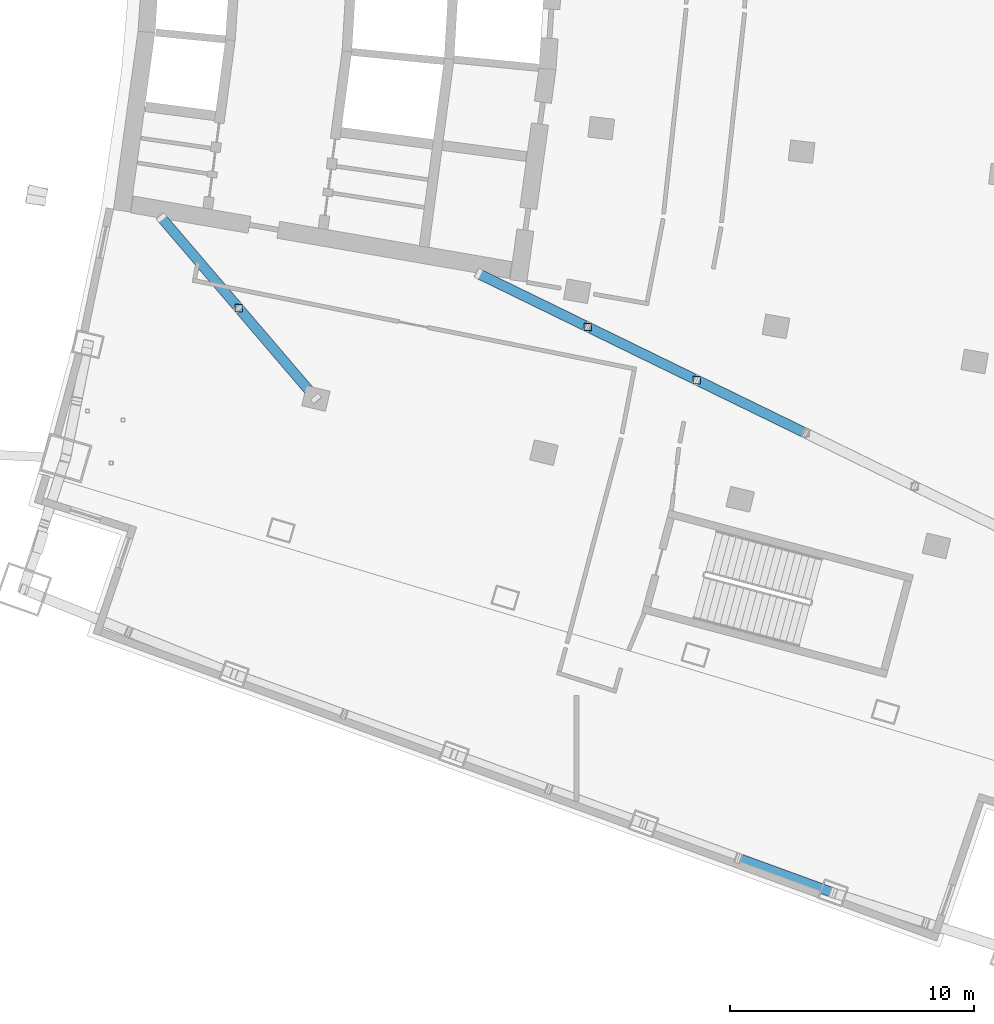
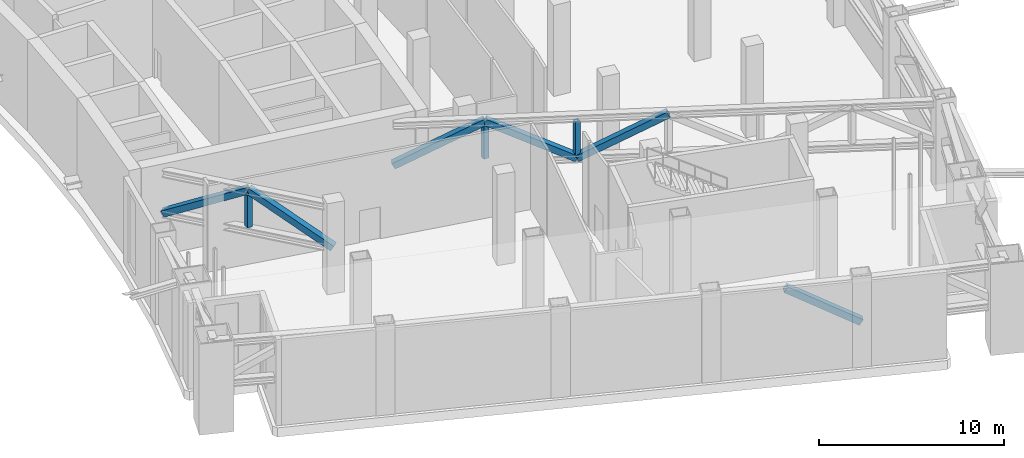
# One storey, part 10 of 26: 9 members.
"""IFC4 building model written with IfcOpenShell, lengths in metres."""

from ifc_helpers import new_model, si_unit, direction, frame, origin, origin_2d, place, context, subcontext, project, spatial, hollow_rectangle, extrude, material, material_profile, profile_set, type_object, element, save


model = new_model("IFC4")

# Units and contexts
model_context = context("Model", 3, precision=1e-05, world=origin(), true_north=direction((0.0, 1.0)))
body_context = subcontext(model_context, "Body", "Model", "MODEL_VIEW")
ifc_project = project(units=[si_unit("LENGTHUNIT", "METRE"), si_unit("AREAUNIT", "SQUARE_METRE"), si_unit("VOLUMEUNIT", "CUBIC_METRE"), si_unit("PLANEANGLEUNIT", "RADIAN"), si_unit("MASSUNIT", "GRAM", prefix="KILO")], contexts=[model_context])

# Site, building, storey
site_placement = place(None, origin())
site = spatial("IfcSite", under=ifc_project, at=site_placement, CompositionType="ELEMENT")
building_placement = place(site_placement, origin())
building = spatial("IfcBuilding", under=site, at=building_placement, Name="Alderwake Tower", CompositionType="ELEMENT")
storey_placement = place(building_placement, frame((0.0, 0.0, 132.800048828125)))
storey = spatial("IfcBuildingStorey", under=building, at=storey_placement, Name="L32", CompositionType="ELEMENT", Elevation=132.800048828125)

# Members
ifc_material_1 = material(Name="Steel ASTM A500 Grade C", Category="steel")
ifc_material_profile_1 = material_profile(ifc_material_1, hollow_rectangle(XDim=0.406494140625, YDim=0.406494140625, WallThickness=0.014892578125, at=origin_2d()), Name="HSS16X16X5/8")
ifc_profile_set_1 = profile_set([ifc_material_profile_1], Name="Steel ASTM A500 Grade C")
member_type_1 = type_object("IfcMemberType", Name="Belt truss diagonal HSS16X16X5/8", PredefinedType="BRACE", material=ifc_profile_set_1)
member_1_placement = place(storey_placement, frame((44.514892578125, 16.187255859375, 2.7822265625), z_axis=(-0.789459819991, 0.28815481986, 0.541959401073), x_axis=(-0.342876271999, -0.939380573623, 0.0)))
element("IfcMember", 1, at=member_1_placement, inside=storey, type_object=member_type_1, Name="Belt truss diagonal BT32E013.D2", PredefinedType="BRACE", context=body_context, shape_type="SweptSolid", body=[
    extrude(hollow_rectangle(XDim=0.406494140625, YDim=0.406494140625, WallThickness=0.014892578125, at=origin_2d()), origin(), (0.0, 0.0, 1.0), 4.918212890625),
])
ifc_material_2 = material(Name="Steel ASTM A500 Grade C", Category="steel")
ifc_material_profile_2 = material_profile(ifc_material_2, hollow_rectangle(XDim=0.406494140625, YDim=0.406494140625, WallThickness=0.014892578125, at=origin_2d()), Name="HSS16X16X5/8")
ifc_profile_set_2 = profile_set([ifc_material_profile_2], Name="Steel ASTM A500 Grade C")
member_type_2 = type_object("IfcMemberType", Name="Outrigger truss diagonal HSS16X16X5/8", PredefinedType="BRACE", material=ifc_profile_set_2)
member_2_placement = place(storey_placement, frame((16.99560546875, 43.850341796875, 2.7822265625), z_axis=(0.569733217925, -0.667004742937, 0.480113250487), x_axis=(0.760373678193, 0.649485850124, 0.0)))
element("IfcMember", 2, at=member_2_placement, inside=storey, type_object=member_type_2, Name="Outrigger truss diagonal OR32SR.D1", PredefinedType="BRACE", context=body_context, shape_type="SweptSolid", body=[
    extrude(hollow_rectangle(XDim=0.406494140625, YDim=0.406494140625, WallThickness=0.014892578125, at=origin_2d()), origin(), (0.0, 0.0, 1.0), 5.5517578125),
])
member_3_placement = place(storey_placement, frame((23.322021484375, 36.444091796875, 2.7822265625), z_axis=(-0.569762917344, 0.666988031973, 0.480101221854), x_axis=(-0.760348921589, -0.649514832346, 0.0)))
element("IfcMember", 3, at=member_3_placement, inside=storey, type_object=member_type_2, Name="Outrigger truss diagonal OR32SR.D2", PredefinedType="BRACE", context=body_context, shape_type="SweptSolid", body=[
    extrude(hollow_rectangle(XDim=0.406494140625, YDim=0.406494140625, WallThickness=0.014892578125, at=origin_2d()), origin(), (0.0, 0.0, 1.0), 5.552001953125),
])
for number, where, z_axis, x_axis, name in (
    (4, (29.993896484375, 41.552001953125, 2.7822265625), (0.792098158643, -0.386111588073, 0.472756119612), (0.438168995666, 0.898892613852, 0.0), "Outrigger truss diagonal OR32SF.D1"),
    (5, (38.92578125, 37.197998046875, 2.7822265625), (-0.792082024847, 0.386124831378, 0.472772334752), (-0.43818835049, -0.898883179003, 0.0), "Outrigger truss diagonal OR32SF.D2"),
    (6, (38.92578125, 37.197998046875, 2.7822265625), (0.792111401218, -0.386074741883, 0.472764023315), (0.438129289996, 0.898911967463, 0.0), "Outrigger truss diagonal OR32SF.D3"),
):
    element("IfcMember", number, at=place(storey_placement, frame(where, z_axis=z_axis, x_axis=x_axis)), inside=storey, type_object=member_type_2, Name=name, PredefinedType="BRACE", context=body_context, shape_type="SweptSolid", body=[
        extrude(hollow_rectangle(XDim=0.406494140625, YDim=0.406494140625, WallThickness=0.014892578125, at=origin_2d()), origin(), (0.0, 0.0, 1.0), 5.63818359375),
    ])
ifc_material_3 = material(Name="Steel ASTM A500 Grade C", Category="steel")
ifc_material_profile_3 = material_profile(ifc_material_3, hollow_rectangle(XDim=0.3046875, YDim=0.3046875, WallThickness=0.01171875, at=origin_2d()), Name="HSS12X12X1/2")
ifc_profile_set_3 = profile_set([ifc_material_profile_3], Name="Steel ASTM A500 Grade C")
member_type_3 = type_object("IfcMemberType", Name="Outrigger truss post HSS12X12X1/2", PredefinedType="POST", material=ifc_profile_set_3)
for number, where, z_axis, x_axis, name in (
    (7, (20.15869140625, 40.147216796875, 3.0146484375), (0.0, 0.0, 1.0), (1.0, 0.0, 0.0), "Outrigger truss post OR32SR.P1"),
    (8, (34.4599609375, 39.375, 3.0146484375), (0.0, 0.0, 1.0), (1.0, 0.0, 0.0), "Outrigger truss post OR32SF.P1"),
    (9, (38.92578125, 37.197998046875, 3.0146484375), (0.0, 0.0, 1.0), (1.0, 0.0, 0.0), "Outrigger truss post OR32SF.P2"),
):
    element("IfcMember", number, at=place(storey_placement, frame(where, z_axis=z_axis, x_axis=x_axis)), inside=storey, type_object=member_type_3, Name=name, PredefinedType="POST", context=body_context, shape_type="SweptSolid", body=[
        extrude(hollow_rectangle(XDim=0.3046875, YDim=0.3046875, WallThickness=0.01171875, at=origin_2d()), origin(), (0.0, 0.0, 1.0), 2.20068359375),
    ])

save(model, "model.ifc")
